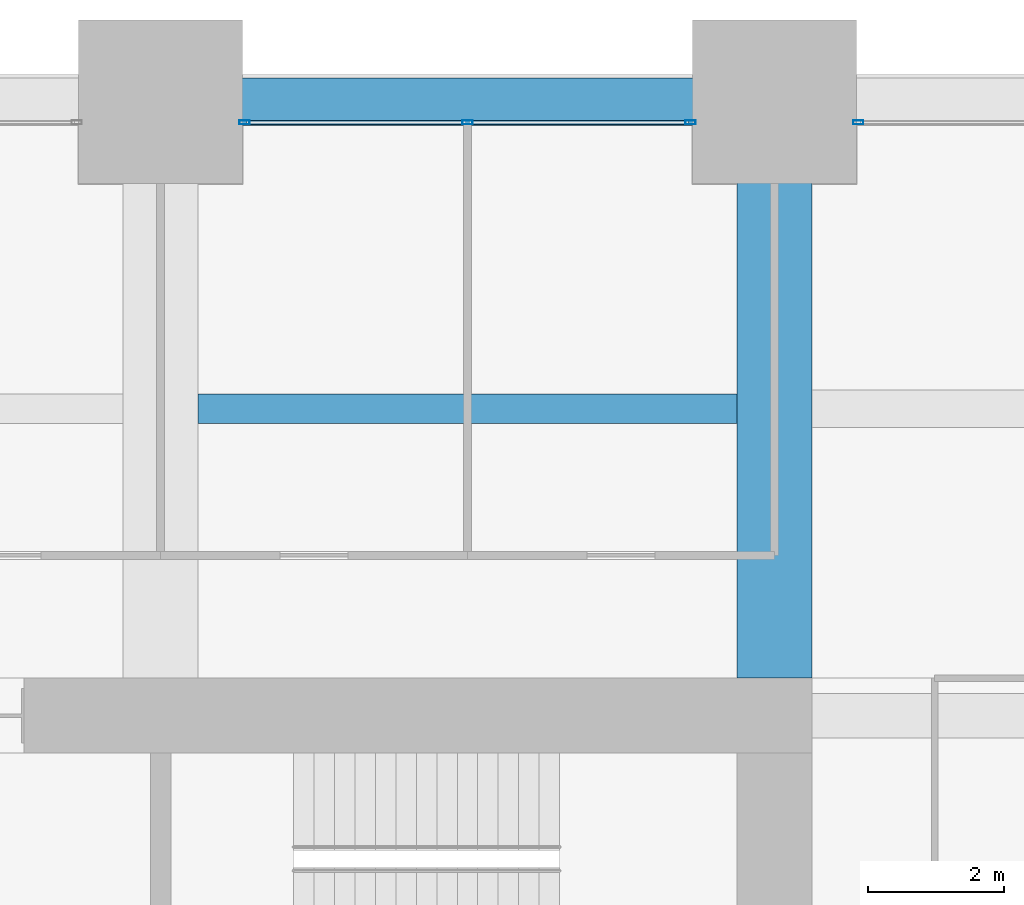
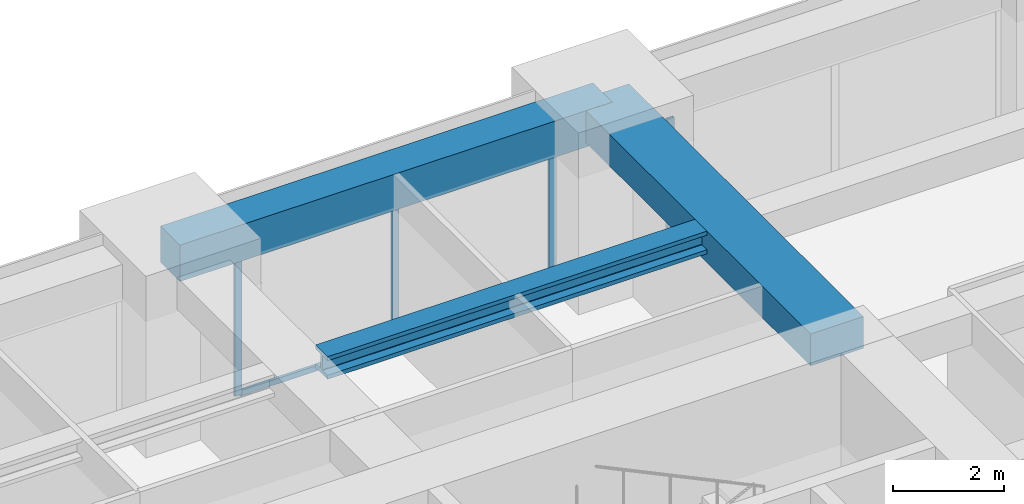
# One storey, part 30 of 41: 5 members, 3 beams, 2 elements without a shape of their own.
"""IFC4 building model written with IfcOpenShell, lengths in metres."""

from ifc_helpers import new_model, si_unit, direction, frame, origin, origin_2d, place, context, subcontext, project, spatial, rectangle, hollow_rectangle, i_section, extrude, material, material_profile, profile_set, type_object, element, aggregate, save


model = new_model("IFC4")

# Units and contexts
model_context = context("Model", 3, precision=1e-05, world=origin(), true_north=direction((0.0, 1.0)))
body_context = subcontext(model_context, "Body", "Model", "MODEL_VIEW")
ifc_project = project(units=[si_unit("LENGTHUNIT", "METRE"), si_unit("AREAUNIT", "SQUARE_METRE"), si_unit("VOLUMEUNIT", "CUBIC_METRE"), si_unit("PLANEANGLEUNIT", "RADIAN"), si_unit("MASSUNIT", "GRAM", prefix="KILO")], contexts=[model_context])

# Site, building, storey
site_placement = place(None, origin())
site = spatial("IfcSite", under=ifc_project, at=site_placement, CompositionType="ELEMENT")
building_placement = place(site_placement, origin())
building = spatial("IfcBuilding", under=site, at=building_placement, Name="Zorevar Civic Tower", CompositionType="ELEMENT")
storey_placement = place(building_placement, frame((0.0, 0.0, 109.0)))
storey = spatial("IfcBuildingStorey", under=building, at=storey_placement, Name="L26", CompositionType="ELEMENT", Elevation=109.0)

# Beam
ifc_material_1 = material(Name="Concrete C50/60", Category="concrete")
ifc_material_profile_1 = material_profile(ifc_material_1, rectangle(XDim=1.10009765625, YDim=0.699951171875, at=origin_2d()), Name="RC 1100x700")
ifc_profile_set_1 = profile_set([ifc_material_profile_1], Name="Concrete C50/60")
beam_type_1 = type_object("IfcBeamType", Name="Beam RC 1100x700", PredefinedType="BEAM", material=ifc_profile_set_1)
beam_1_placement = place(storey_placement, frame((45.0, 36.550048828125, 3.39990234375), z_axis=(0.0, 1.0, 0.0), x_axis=(-1.0, 0.0, 0.0)))
element("IfcBeam", 1, at=beam_1_placement, inside=storey, type_object=beam_type_1, Name="Girder L27", PredefinedType="BEAM", context=body_context, shape_type="SweptSolid", body=[
    extrude(rectangle(XDim=1.10009765625, YDim=0.699951171875, at=origin_2d()), origin(), (0.0, 0.0, 1.0), 8.449951171875),
])

# Curtain wall, members
ifc_material_2 = material(Name="Dark grey solar-control glass in black aluminium frame", Category="aluminium")
curtain_wall_type = type_object("IfcCurtainWallType", Name="Curtain wall CW3 mid zone", PredefinedType="NOTDEFINED", material=ifc_material_2)
curtain_wall_1_placement = place(storey_placement, origin())
curtain_wall_1 = element("IfcCurtainWall", 2, at=curtain_wall_1_placement, inside=storey, type_object=curtain_wall_type, Name="CW3 L26", PredefinedType="NOTDEFINED")
ifc_material_3 = material(Name="Aluminium, black anodised", Category="aluminium")
ifc_material_profile_2 = material_profile(ifc_material_3, hollow_rectangle(XDim=0.06005859375, YDim=0.14990234375, WallThickness=0.00390625, at=origin_2d()), Name="AL 150x60x4")
ifc_profile_set_2 = profile_set([ifc_material_profile_2], Name="Aluminium, black anodised")
member_type_1 = type_object("IfcMemberType", Name="CW3 mullion AL 150x60x4", PredefinedType="MULLION", material=ifc_profile_set_2)
member_1_placement = place(storey_placement, frame((37.22998046875, 44.699951171875, 0.0), z_axis=(0.0, 0.0, 1.0), x_axis=(0.0, 1.0, 0.0)))
member_1 = element("IfcMember", 3, at=member_1_placement, type_object=member_type_1, Name="CW3 mullion 1", PredefinedType="MULLION", context=body_context, shape_type="SweptSolid", body=[
    extrude(hollow_rectangle(XDim=0.06005859375, YDim=0.14990234375, WallThickness=0.00390625, at=origin_2d()), origin(), (0.0, 0.0, 1.0), 2.949951171875),
])
member_2_placement = place(storey_placement, frame((40.5, 44.699951171875, 0.06005859375), z_axis=(0.0, 0.0, 1.0), x_axis=(0.0, 1.0, 0.0)))
member_2 = element("IfcMember", 4, at=member_2_placement, type_object=member_type_1, Name="CW3 mullion 2", PredefinedType="MULLION", context=body_context, shape_type="SweptSolid", body=[
    extrude(hollow_rectangle(XDim=0.06005859375, YDim=0.14990234375, WallThickness=0.00390625, at=origin_2d()), origin(), (0.0, 0.0, 1.0), 2.889892578125),
])
member_3_placement = place(storey_placement, frame((43.77001953125, 44.699951171875, 0.0), z_axis=(0.0, 0.0, 1.0), x_axis=(0.0, 1.0, 0.0)))
member_3 = element("IfcMember", 5, at=member_3_placement, type_object=member_type_1, Name="CW3 mullion 3", PredefinedType="MULLION", context=body_context, shape_type="SweptSolid", body=[
    extrude(hollow_rectangle(XDim=0.06005859375, YDim=0.14990234375, WallThickness=0.00390625, at=origin_2d()), origin(), (0.0, 0.0, 1.0), 2.949951171875),
])

# Curtain wall, member
curtain_wall_2_placement = place(storey_placement, origin())
curtain_wall_2 = element("IfcCurtainWall", 6, at=curtain_wall_2_placement, inside=storey, type_object=curtain_wall_type, Name="CW3 L26", PredefinedType="NOTDEFINED")
member_4_placement = place(storey_placement, frame((46.22998046875, 44.699951171875, 0.0), z_axis=(0.0, 0.0, 1.0), x_axis=(0.0, 1.0, 0.0)))
member_4 = element("IfcMember", 7, at=member_4_placement, type_object=member_type_1, Name="CW3 mullion 1", PredefinedType="MULLION", context=body_context, shape_type="SweptSolid", body=[
    extrude(hollow_rectangle(XDim=0.06005859375, YDim=0.14990234375, WallThickness=0.00390625, at=origin_2d()), origin(), (0.0, 0.0, 1.0), 2.949951171875),
])
aggregate(curtain_wall_2, [member_4])

# Member
ifc_material_4 = material(Name="Aluminium, black anodised", Category="aluminium")
ifc_material_profile_3 = material_profile(ifc_material_4, hollow_rectangle(XDim=0.06005859375, YDim=0.1201171875, WallThickness=0.0029296875, at=origin_2d()), Name="AL 120x60x3")
ifc_profile_set_3 = profile_set([ifc_material_profile_3], Name="Aluminium, black anodised")
member_type_2 = type_object("IfcMemberType", Name="CW3 transom AL 120x60x3", PredefinedType="USERDEFINED", material=ifc_profile_set_3)
member_5_placement = place(storey_placement, frame((37.260009765625, 44.699951171875, 0.030029296875), z_axis=(1.0, 0.0, 0.0), x_axis=(0.0, 1.0, 0.0)))
member_5 = element("IfcMember", 8, at=member_5_placement, type_object=member_type_2, Name="CW3 sill transom", ObjectType="TRANSOM", PredefinedType="USERDEFINED", context=body_context, shape_type="SweptSolid", body=[
    extrude(hollow_rectangle(XDim=0.06005859375, YDim=0.1201171875, WallThickness=0.0029296875, at=origin_2d()), origin(), (0.0, 0.0, 1.0), 6.47998046875),
])

aggregate(curtain_wall_1, [member_1, member_2, member_3, member_5])

# Beams
ifc_material_5 = material(Name="Steel S460M (HISTAR 460)", Category="steel")
ifc_material_profile_4 = material_profile(ifc_material_5, i_section(OverallWidth=0.431884765625, OverallDepth=0.498046875, WebThickness=0.0556640625, FlangeThickness=0.0888671875, FilletRadius=0.014892578125, at=origin_2d()), Name="HD 400x744")
ifc_profile_set_4 = profile_set([ifc_material_profile_4], Name="Steel S460M (HISTAR 460)")
beam_type_2 = type_object("IfcBeamType", Name="Core bay beam HD 400x744", PredefinedType="BEAM", material=ifc_profile_set_4)
beam_2_placement = place(storey_placement, frame((36.550048828125, 40.5, 3.5009765625), z_axis=(1.0, 0.0, 0.0), x_axis=(0.0, 1.0, 0.0)))
element("IfcBeam", 9, at=beam_2_placement, inside=storey, type_object=beam_type_2, Name="Secondary beam L27", PredefinedType="BEAM", context=body_context, shape_type="SweptSolid", body=[
    extrude(i_section(OverallWidth=0.431884765625, OverallDepth=0.498046875, WebThickness=0.0556640625, FlangeThickness=0.0888671875, FilletRadius=0.014892578125, at=origin_2d()), origin(), (0.0, 0.0, 1.0), 7.89990234375),
])
ifc_material_6 = material(Name="Concrete C50/60", Category="concrete")
ifc_material_profile_5 = material_profile(ifc_material_6, rectangle(XDim=0.699951171875, YDim=0.800048828125, at=origin_2d()), Name="RC 700x800")
ifc_profile_set_5 = profile_set([ifc_material_profile_5], Name="Concrete C50/60")
beam_type_3 = type_object("IfcBeamType", Name="Edge beam RC 700x800", PredefinedType="SPANDREL", material=ifc_profile_set_5)
beam_3_placement = place(storey_placement, frame((36.0, 45.0, 3.35009765625), z_axis=(1.0, 0.0, 0.0), x_axis=(0.0, 1.0, 0.0)))
element("IfcBeam", 10, at=beam_3_placement, inside=storey, type_object=beam_type_3, Name="Edge beam L27", PredefinedType="SPANDREL", context=body_context, shape_type="SweptSolid", body=[
    extrude(rectangle(XDim=0.699951171875, YDim=0.800048828125, at=origin_2d()), origin(), (0.0, 0.0, 1.0), 9.0),
])

save(model, "model.ifc")
